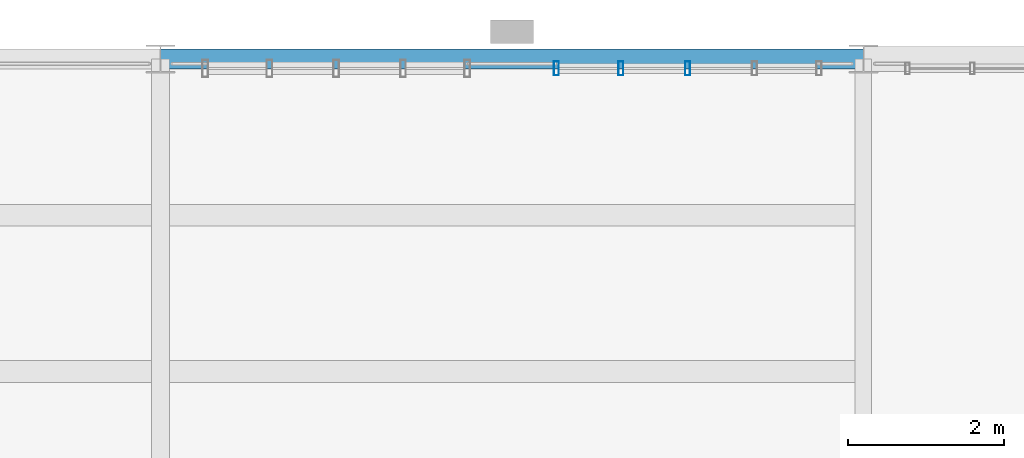
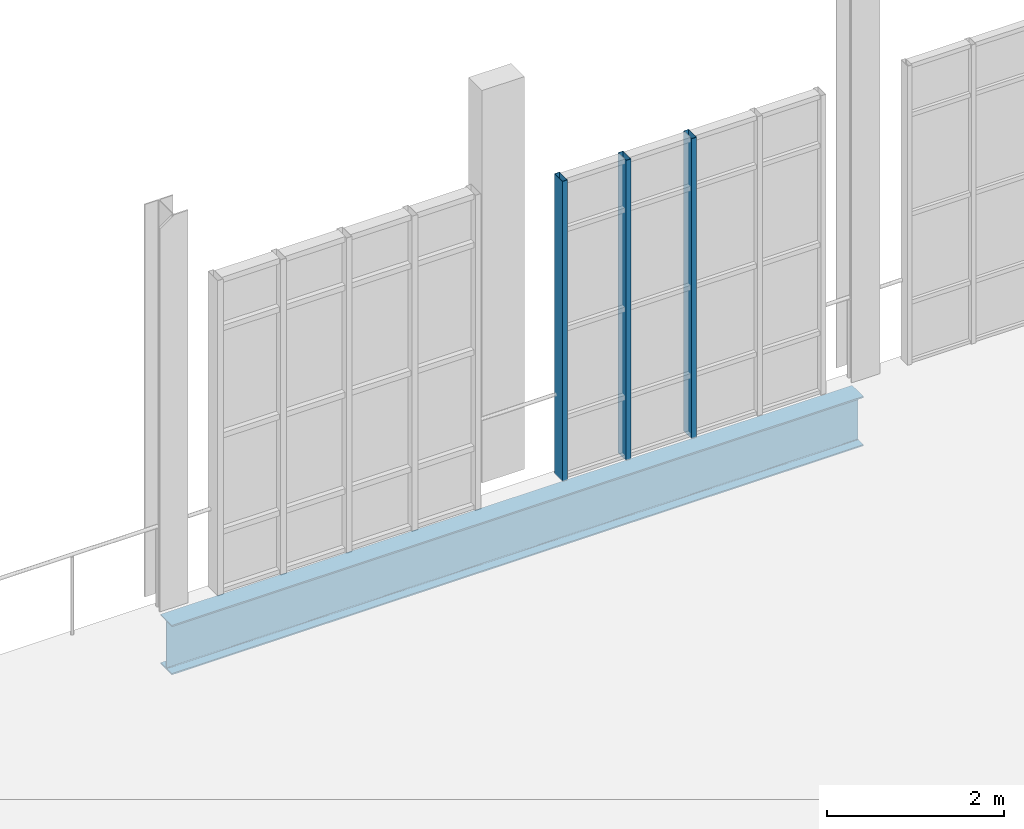
# One storey, part 68 of 142: 3 members, 1 beam, 1 element without a shape of its own.
"""IFC4 building model written with IfcOpenShell, lengths in metres."""

from ifc_helpers import new_model, si_unit, direction, frame, origin, origin_2d, place, context, subcontext, project, spatial, hollow_rectangle, i_section, extrude, material, layer, layer_set, material_profile, profile_set, type_object, element, aggregate, save


model = new_model("IFC4")

# Units and contexts
model_context = context("Model", 3, precision=1e-05, world=origin(), true_north=direction((0.0, 1.0)))
body_context = subcontext(model_context, "Body", "Model", "MODEL_VIEW")
ifc_project = project(units=[si_unit("LENGTHUNIT", "METRE"), si_unit("AREAUNIT", "SQUARE_METRE"), si_unit("VOLUMEUNIT", "CUBIC_METRE"), si_unit("PLANEANGLEUNIT", "RADIAN"), si_unit("MASSUNIT", "GRAM", prefix="KILO"), si_unit("THERMODYNAMICTEMPERATUREUNIT", "KELVIN"), si_unit("POWERUNIT", "WATT")], contexts=[model_context])

# Site, building, storey
site_placement = place(None, origin())
site = spatial("IfcSite", under=ifc_project, at=site_placement, CompositionType="ELEMENT")
building_placement = place(site_placement, origin())
building = spatial("IfcBuilding", under=site, at=building_placement, Name="Zelmaris Science Centre", CompositionType="ELEMENT")
storey_placement = place(building_placement, frame((0.0, 0.0, 5.39990234375)))
storey = spatial("IfcBuildingStorey", under=building, at=storey_placement, Name="L01", CompositionType="ELEMENT", Elevation=5.39990234375)

# Curtain wall, members
ifc_material_1 = material(Name="Anodised architectural aluminium 6063-T6", Category="aluminium")
ifc_layer = layer(ifc_material_1, 0.2099609375, Name="Anodised architectural aluminium 6063-T6")
ifc_layer_set = layer_set([ifc_layer], Name="Anodised architectural aluminium 6063-T6")
curtain_wall_type = type_object("IfcCurtainWallType", Name="Curtain Wall CW-03", PredefinedType="USERDEFINED", material=ifc_layer_set)
curtain_wall_placement = place(storey_placement, origin())
curtain_wall = element("IfcCurtainWall", 1, at=curtain_wall_placement, inside=storey, type_object=curtain_wall_type, Name="L01 Unitised curtain wall 139", ObjectType="GLAZED CURTAIN WALL", PredefinedType="USERDEFINED")
ifc_material_profile_1 = material_profile(ifc_material_1, hollow_rectangle(XDim=0.06494140625, YDim=0.179931640625, WallThickness=0.00390625, at=origin_2d()), Name="ALU-MUL-65X180")
ifc_profile_set_1 = profile_set([ifc_material_profile_1], Name="Anodised architectural aluminium 6063-T6")
member_type = type_object("IfcMemberType", Name="ALU-MUL-65X180", PredefinedType="MULLION", material=ifc_profile_set_1)
member_1_placement = place(storey_placement, frame((95.068603515625, 87.8798828125, -0.014892578125), z_axis=(0.0, 0.0, 1.0), x_axis=(1.0, 0.0, 0.0)))
member_1 = element("IfcMember", 2, at=member_1_placement, type_object=member_type, Name="CW-03 mullion 1", PredefinedType="MULLION", context=body_context, shape_type="SweptSolid", body=[
    extrude(hollow_rectangle(XDim=0.06494140625, YDim=0.179931640625, WallThickness=0.00390625, at=origin_2d()), origin(), (0.0, 0.0, 1.0), 4.12890625),
])
member_2_placement = place(storey_placement, frame((95.89501953125, 87.8798828125, -0.014892578125), z_axis=(0.0, 0.0, 1.0), x_axis=(1.0, 0.0, 0.0)))
member_2 = element("IfcMember", 3, at=member_2_placement, type_object=member_type, Name="CW-03 mullion 2", PredefinedType="MULLION", context=body_context, shape_type="SweptSolid", body=[
    extrude(hollow_rectangle(XDim=0.06494140625, YDim=0.179931640625, WallThickness=0.00390625, at=origin_2d()), origin(), (0.0, 0.0, 1.0), 4.12890625),
])
member_3_placement = place(storey_placement, frame((96.75, 87.8798828125, -0.014892578125), z_axis=(0.0, 0.0, 1.0), x_axis=(1.0, 0.0, 0.0)))
member_3 = element("IfcMember", 4, at=member_3_placement, type_object=member_type, Name="CW-03 mullion 3", PredefinedType="MULLION", context=body_context, shape_type="SweptSolid", body=[
    extrude(hollow_rectangle(XDim=0.06494140625, YDim=0.179931640625, WallThickness=0.00390625, at=origin_2d()), origin(), (0.0, 0.0, 1.0), 4.12890625),
])
aggregate(curtain_wall, [member_1, member_2, member_3])

# Beam
ifc_material_2 = material(Name="Steel ASTM A992 Grade 50", Category="steel")
ifc_material_profile_2 = material_profile(ifc_material_2, i_section(OverallWidth=0.25390625, OverallDepth=0.68310546875, WebThickness=0.012451171875, FlangeThickness=0.018798828125, FilletRadius=0.01806640625, at=origin_2d()), Name="W27X94")
ifc_profile_set_2 = profile_set([ifc_material_profile_2], Name="Steel ASTM A992 Grade 50")
beam_type = type_object("IfcBeamType", Name="Beam G-13 W27X94", PredefinedType="BEAM", material=ifc_profile_set_2)
beam_placement = place(storey_placement, frame((90.0, 88.0, -0.621337890625), z_axis=(1.0, 0.0, 0.0), x_axis=(0.0, 1.0, 0.0)))
element("IfcBeam", 5, at=beam_placement, inside=storey, type_object=beam_type, Name="L01 East-west girder 410", PredefinedType="BEAM", context=body_context, shape_type="SweptSolid", body=[
    extrude(i_section(OverallWidth=0.25390625, OverallDepth=0.68310546875, WebThickness=0.012451171875, FlangeThickness=0.018798828125, FilletRadius=0.01806640625, at=origin_2d()), origin(), (0.0, 0.0, 1.0), 9.0),
])

save(model, "model.ifc")
